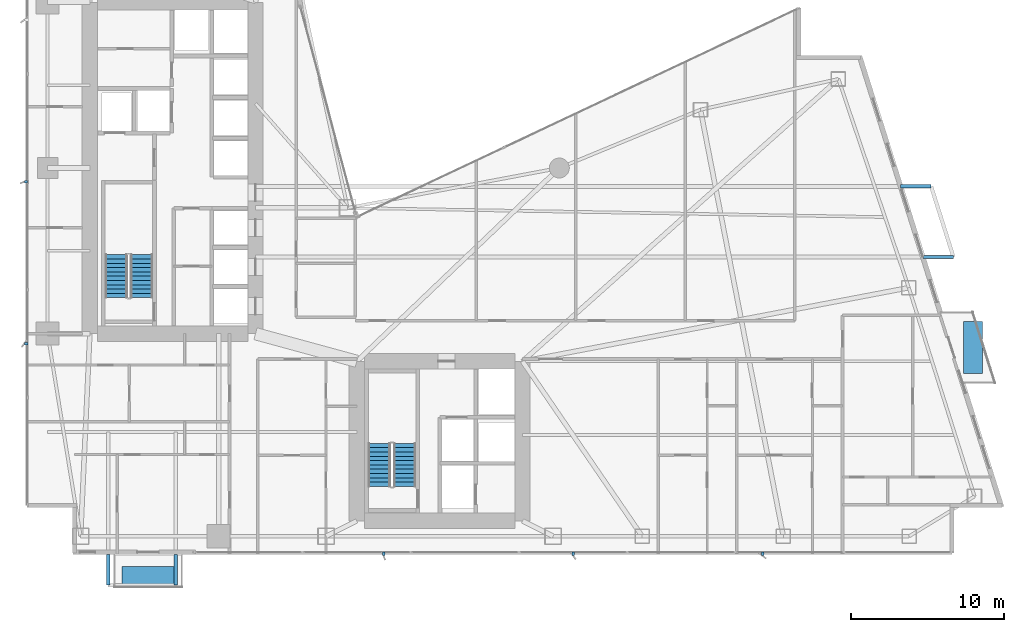
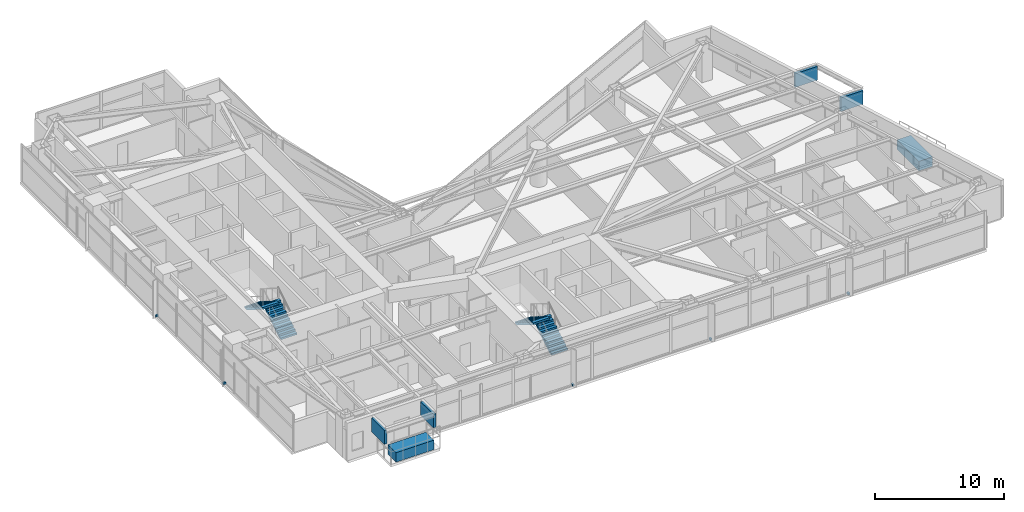
# One storey, part 26 of 29: 11 discrete accessories, 4 stair flights, 2 elements without a shape of their own.
"""IFC4 building model written with IfcOpenShell, lengths in metres."""

import ifcopenshell
import ifcopenshell.guid

model = None  # the IFC model being written
_history = None  # IfcOwnerHistory: only IFC2X3 demands one
_inside = {}  # id of a spatial element -> (the spatial element, [elements in it])
_under = {}  # id of a project, library or spatial element -> (it, [spatial elements below it])
_declared = {}  # id of a project -> (the project, [libraries it declares])
_typed = {}  # id of a type object -> (the type object, [elements of that type])
_made_of = {}  # id of a material, layer set ... -> (it, [elements and type objects made of it])


def new_model(schema):
    """Start an empty IFC model of exactly this schema.

    Asked for "IFC4X3", IfcOpenShell would pick the latest addendum, in which some entities
    have other attributes; the version numbers below select the first issue.
    IFC2X3 requires an IfcOwnerHistory on every rooted entity: one is made here for all.
    """
    global model, _history
    if schema == "IFC4X3":
        model = ifcopenshell.file(schema_version=(4, 3, 0, 0))
    else:
        model = ifcopenshell.file(schema=schema)
    _inside.clear()
    _under.clear()
    _declared.clear()
    _typed.clear()
    _made_of.clear()
    _history = None
    if model.schema == "IFC2X3":
        org = make("IfcOrganization", Name="unknown")
        user = make(
            "IfcPersonAndOrganization",
            ThePerson=make("IfcPerson", FamilyName="unknown"),
            TheOrganization=org,
        )
        app = make(
            "IfcApplication",
            ApplicationDeveloper=org,
            Version="unknown",
            ApplicationFullName="unknown",
            ApplicationIdentifier="unknown",
        )
        _history = make(
            "IfcOwnerHistory",
            OwningUser=user,
            OwningApplication=app,
            ChangeAction="ADDED",
            CreationDate=0,
        )
    return model


def make(cls, **values):
    """One entity of the class cls with the attributes given. An attribute that is None is left unset."""
    return model.create_entity(
        cls, **{name: value for name, value in values.items() if value is not None}
    )


def rooted(cls, **values):
    """An entity with a GlobalId (a new one), such as an element, a storey or a relation."""
    return make(cls, GlobalId=ifcopenshell.guid.new(), OwnerHistory=_history, **values)


def si_unit(unit_type, name, prefix=None):
    """IfcSIUnit, for example si_unit("LENGTHUNIT", "METRE", prefix="MILLI")."""
    return make("IfcSIUnit", UnitType=unit_type, Prefix=prefix, Name=name)


def assignment(units):
    """IfcUnitAssignment: the units of a project."""
    return None if units is None else make("IfcUnitAssignment", Units=units)


def point(xyz):
    """IfcCartesianPoint."""
    return None if xyz is None else make("IfcCartesianPoint", Coordinates=xyz)


def direction(xyz):
    """IfcDirection."""
    return None if xyz is None else make("IfcDirection", DirectionRatios=xyz)


def frame(location, z_axis=None, x_axis=None):
    """IfcAxis2Placement3D, a coordinate frame: its origin and axes. An axis left out is left unset."""
    return make(
        "IfcAxis2Placement3D",
        Location=point(location),
        Axis=direction(z_axis),
        RefDirection=direction(x_axis),
    )


def frame_2d(location, x_axis=None):
    """IfcAxis2Placement2D, a coordinate frame in the plane: its origin and x axis."""
    return make(
        "IfcAxis2Placement2D", Location=point(location), RefDirection=direction(x_axis)
    )


def origin():
    """The frame at (0, 0, 0) with its axes left unset."""
    return frame((0.0, 0.0, 0.0))


def origin_2d():
    """The frame at (0, 0) in the plane with its x axis left unset."""
    return frame_2d((0.0, 0.0))


def place(relative_to, where):
    """IfcLocalPlacement: puts the frame where relative to a parent placement (None: the world)."""
    return make(
        "IfcLocalPlacement", PlacementRelTo=relative_to, RelativePlacement=where
    )


def context(
    kind, dimensions, precision=None, world=None, true_north=None, identifier=None
):
    """IfcGeometricRepresentationContext, for example the 3D "Model" context."""
    return make(
        "IfcGeometricRepresentationContext",
        ContextIdentifier=identifier,
        ContextType=kind,
        CoordinateSpaceDimension=dimensions,
        Precision=precision,
        WorldCoordinateSystem=world,
        TrueNorth=true_north,
    )


def subcontext(parent, identifier, kind, view, scale=None):
    """IfcGeometricRepresentationSubContext, for example "Body" below "Model"."""
    return make(
        "IfcGeometricRepresentationSubContext",
        ContextIdentifier=identifier,
        ContextType=kind,
        ParentContext=parent,
        TargetScale=scale,
        TargetView=view,
    )


def project(units=None, contexts=None):
    """IfcProject with its units and contexts."""
    return rooted(
        "IfcProject",
        Name="project",
        RepresentationContexts=contexts,
        UnitsInContext=assignment(units),
    )


def spatial(cls, under=None, at=None, **own):
    """A site, building, storey or space (cls), placed at a placement, below another one or the project."""
    s = rooted(cls, ObjectPlacement=at, **own)
    if under is not None:
        _under.setdefault(under.id(), (under, []))[1].append(s)
    return s


def polyline(points):
    """IfcPolyline through the points."""
    return make("IfcPolyline", Points=[point(p) for p in points])


def profile(cls, at=None, kind="AREA", **sizes):
    """A parametric profile (cls). Its sizes go by their IFC names, for example OverallWidth=200.0."""
    return make(cls, ProfileType=kind, Position=at, **sizes)


def rectangle(**sizes):
    """IfcRectangleProfileDef."""
    return profile("IfcRectangleProfileDef", **sizes)


def outline(outer, holes=None, kind="AREA"):
    """IfcArbitraryClosedProfileDef: a profile drawn as a closed curve; with holes, ...WithVoids."""
    if holes is None:
        return make("IfcArbitraryClosedProfileDef", ProfileType=kind, OuterCurve=outer)
    return make(
        "IfcArbitraryProfileDefWithVoids",
        ProfileType=kind,
        OuterCurve=outer,
        InnerCurves=holes,
    )


def extrude(swept, where, along, depth):
    """IfcExtrudedAreaSolid: the profile swept, set in the frame where, extruded along a direction by depth."""
    return make(
        "IfcExtrudedAreaSolid",
        SweptArea=swept,
        Position=where,
        ExtrudedDirection=direction(along),
        Depth=depth,
    )


def shape(context_of_items, identifier, shape_type, items):
    """IfcShapeRepresentation: the items that make up one representation, for example the "Body"."""
    return make(
        "IfcShapeRepresentation",
        ContextOfItems=context_of_items,
        RepresentationIdentifier=identifier,
        RepresentationType=shape_type,
        Items=items,
    )


def material(Name=None, Category=None):
    """IfcMaterial."""
    return make("IfcMaterial", Name=Name, Category=Category)


def made_of(thing, what):
    """Note that an element or type object is made of a material, layer set ...; save() writes the relation."""
    if what is not None:
        _made_of.setdefault(what.id(), (what, []))[1].append(thing)
    return thing


def type_object(cls, material=None, **own):
    """A type object (cls), such as IfcWallType, which elements share."""
    return made_of(rooted(cls, **own), material)


def element(
    cls,
    number,
    at=None,
    inside=None,
    cuts=None,
    type_object=None,
    material=None,
    context=None,
    identifier="Body",
    shape_type=None,
    held_by="IfcProductDefinitionShape",
    body=None,
    shapes=None,
    **own,
):
    """One element of the class cls, such as IfcWall. Its Tag is "e" and its number.

    at: its placement. inside: the storey or other place that contains it. cuts: it is an
    opening in that element (IfcRelVoidsElement). A single representation is given by context,
    identifier, shape_type and body (its items); several are given by shapes. held_by: the class
    of the entity that holds the representations. save() writes the other relations.
    """
    e = rooted(cls, Tag="e%d" % number, ObjectPlacement=at, **own)
    if body is not None:
        shapes = [shape(context, identifier, shape_type, body)]
    if shapes is not None:
        e.Representation = make(held_by, Representations=shapes)
    if inside is not None:
        _inside.setdefault(inside.id(), (inside, []))[1].append(e)
    if cuts is not None:
        rooted(
            "IfcRelVoidsElement", RelatingBuildingElement=cuts, RelatedOpeningElement=e
        )
    if type_object is not None:
        _typed.setdefault(type_object.id(), (type_object, []))[1].append(e)
    return made_of(e, material)


def aggregate(whole, parts):
    """IfcRelAggregates: a whole, such as a stair, and the parts it consists of."""
    return rooted("IfcRelAggregates", RelatingObject=whole, RelatedObjects=parts)


def save(model, path):
    """Write the relations noted so far, then the file.

    IfcRelAggregates (storeys below a building ...), IfcRelContainedInSpatialStructure (elements
    in a storey), IfcRelDefinesByType, IfcRelAssociatesMaterial and IfcRelDeclares: one each for
    every whole, place, type object, material and project.
    """
    for whole, parts in _under.values():
        aggregate(whole, parts)
    for where, things in _inside.values():
        rooted(
            "IfcRelContainedInSpatialStructure",
            RelatedElements=things,
            RelatingStructure=where,
        )
    for kind, things in _typed.values():
        rooted("IfcRelDefinesByType", RelatedObjects=things, RelatingType=kind)
    for what, things in _made_of.values():
        rooted("IfcRelAssociatesMaterial", RelatedObjects=things, RelatingMaterial=what)
    for by, libraries in _declared.values():
        rooted("IfcRelDeclares", RelatingContext=by, RelatedDefinitions=libraries)
    model.write(path)


model = new_model("IFC4")

# Units and contexts
model_context = context("Model", 3, precision=1e-05, world=origin(), true_north=direction((0.0, 1.0)))
body_context = subcontext(model_context, "Body", "Model", "MODEL_VIEW")
ifc_project = project(units=[si_unit("LENGTHUNIT", "METRE"), si_unit("AREAUNIT", "SQUARE_METRE"), si_unit("VOLUMEUNIT", "CUBIC_METRE"), si_unit("PLANEANGLEUNIT", "RADIAN"), si_unit("MASSUNIT", "GRAM", prefix="KILO")], contexts=[model_context])

# Site, building, storey
site_placement = place(None, origin())
site = spatial("IfcSite", under=ifc_project, at=site_placement, CompositionType="ELEMENT")
building_placement = place(site_placement, origin())
building = spatial("IfcBuilding", under=site, at=building_placement, Name="Calvorn Quay Hotel", CompositionType="ELEMENT")
storey_placement = place(building_placement, frame((0.0, 0.0, 85.0)))
storey = spatial("IfcBuildingStorey", under=building, at=storey_placement, Name="L20", CompositionType="ELEMENT", Elevation=85.0)

# Stair, stair flights
ifc_material_1 = material(Name="Concrete C40", Category="concrete")
stair_type = type_object("IfcStairType", Name="STR-CORE-DOGLEG", PredefinedType="HALF_TURN_STAIR", material=ifc_material_1)
stair_1_placement = place(storey_placement, origin())
stair_1 = element("IfcStair", 1, at=stair_1_placement, inside=storey, type_object=stair_type, Name="L20 ST-W", PredefinedType="HALF_TURN_STAIR")
ifc_material_2 = material(Name="Concrete C40", Category="concrete")
stair_flight_type = type_object("IfcStairFlightType", Name="FLT-CORE-1550", PredefinedType="STRAIGHT", material=ifc_material_2)
stair_flight_1_placement = place(storey_placement, frame((7.574951171875, 19.14990234375, 0.0), z_axis=(0.0, 0.0, 1.0), x_axis=(0.0, 1.0, 0.0)))
stair_flight_1 = element("IfcStairFlight", 2, at=stair_flight_1_placement, type_object=stair_flight_type, Name="ST-W flight 1", NumberOfRisers=11, NumberOfTreads=10, PredefinedType="STRAIGHT", RiserHeight=0.172727273, TreadLength=0.28, context=body_context, shape_type="SweptSolid", body=[
    extrude(outline(polyline([(0.0, 0.0), (0.0, 0.172607421875), (0.280029296875, 0.172607421875), (0.280029296875, 0.345458984375), (0.56005859375, 0.345458984375), (0.56005859375, 0.51806640625), (0.840087890625, 0.51806640625), (0.840087890625, 0.69091796875), (1.1201171875, 0.69091796875), (1.1201171875, 0.863525390625), (1.39990234375, 0.863525390625), (1.39990234375, 1.036376953125), (1.679931640625, 1.036376953125), (1.679931640625, 1.208984375), (1.9599609375, 1.208984375), (1.9599609375, 1.3818359375), (2.239990234375, 1.3818359375), (2.239990234375, 1.554443359375), (2.52001953125, 1.554443359375), (2.52001953125, 1.727294921875), (2.800048828125, 1.727294921875), (2.800048828125, 1.89990234375), (2.800048828125, 1.551025390625), (0.285400390625, 0.0), (0.0, 0.0)])), frame((0.0, 0.72509765625, 0.0), z_axis=(0.0, -1.0, 0.0), x_axis=(1.0, 0.0, 0.0)), (0.0, 0.0, 1.0), 1.449951171875),
])
stair_flight_2_placement = place(storey_placement, frame((5.925048828125, 21.949951171875, 1.89990234375), z_axis=(0.0, 0.0, 1.0), x_axis=(0.0, -1.0, 0.0)))
stair_flight_2 = element("IfcStairFlight", 3, at=stair_flight_2_placement, type_object=stair_flight_type, Name="ST-W flight 2", NumberOfRisers=11, NumberOfTreads=10, PredefinedType="STRAIGHT", RiserHeight=0.172727273, TreadLength=0.28, context=body_context, shape_type="SweptSolid", body=[
    extrude(outline(polyline([(0.0, 0.0), (0.0, 0.172607421875), (0.280029296875, 0.172607421875), (0.280029296875, 0.345458984375), (0.56005859375, 0.345458984375), (0.56005859375, 0.51806640625), (0.840087890625, 0.51806640625), (0.840087890625, 0.69091796875), (1.1201171875, 0.69091796875), (1.1201171875, 0.863525390625), (1.39990234375, 0.863525390625), (1.39990234375, 1.036376953125), (1.679931640625, 1.036376953125), (1.679931640625, 1.208984375), (1.9599609375, 1.208984375), (1.9599609375, 1.3818359375), (2.239990234375, 1.3818359375), (2.239990234375, 1.554443359375), (2.52001953125, 1.554443359375), (2.52001953125, 1.727294921875), (2.800048828125, 1.727294921875), (2.800048828125, 1.89990234375), (2.800048828125, 1.551025390625), (0.285400390625, 0.0), (0.0, 0.0)])), frame((0.0, 0.72509765625, 0.0), z_axis=(0.0, -1.0, 0.0), x_axis=(1.0, 0.0, 0.0)), (0.0, 0.0, 1.0), 1.449951171875),
])
aggregate(stair_1, [stair_flight_1, stair_flight_2])

stair_2_placement = place(storey_placement, origin())
stair_2 = element("IfcStair", 4, at=stair_2_placement, inside=storey, type_object=stair_type, Name="L20 ST-E", PredefinedType="HALF_TURN_STAIR")
stair_flight_3_placement = place(storey_placement, frame((24.72509765625, 6.85009765625, 0.0), z_axis=(0.0, 0.0, 1.0), x_axis=(0.0, 1.0, 0.0)))
stair_flight_3 = element("IfcStairFlight", 5, at=stair_flight_3_placement, type_object=stair_flight_type, Name="ST-E flight 1", NumberOfRisers=11, NumberOfTreads=10, PredefinedType="STRAIGHT", RiserHeight=0.172727273, TreadLength=0.28, context=body_context, shape_type="SweptSolid", body=[
    extrude(outline(polyline([(0.0, 0.0), (0.0, 0.172607421875), (0.280029296875, 0.172607421875), (0.280029296875, 0.345458984375), (0.56005859375, 0.345458984375), (0.56005859375, 0.51806640625), (0.840087890625, 0.51806640625), (0.840087890625, 0.69091796875), (1.1201171875, 0.69091796875), (1.1201171875, 0.863525390625), (1.39990234375, 0.863525390625), (1.39990234375, 1.036376953125), (1.679931640625, 1.036376953125), (1.679931640625, 1.208984375), (1.9599609375, 1.208984375), (1.9599609375, 1.3818359375), (2.239990234375, 1.3818359375), (2.239990234375, 1.554443359375), (2.52001953125, 1.554443359375), (2.52001953125, 1.727294921875), (2.800048828125, 1.727294921875), (2.800048828125, 1.89990234375), (2.800048828125, 1.551025390625), (0.285400390625, 0.0), (0.0, 0.0)])), frame((0.0, 0.72509765625, 0.0), z_axis=(0.0, -1.0, 0.0), x_axis=(1.0, 0.0, 0.0)), (0.0, 0.0, 1.0), 1.449951171875),
])
stair_flight_4_placement = place(storey_placement, frame((23.074951171875, 9.64990234375, 1.89990234375), z_axis=(0.0, 0.0, 1.0), x_axis=(0.0, -1.0, 0.0)))
stair_flight_4 = element("IfcStairFlight", 6, at=stair_flight_4_placement, type_object=stair_flight_type, Name="ST-E flight 2", NumberOfRisers=11, NumberOfTreads=10, PredefinedType="STRAIGHT", RiserHeight=0.172727273, TreadLength=0.28, context=body_context, shape_type="SweptSolid", body=[
    extrude(outline(polyline([(0.0, 0.0), (0.0, 0.172607421875), (0.280029296875, 0.172607421875), (0.280029296875, 0.345458984375), (0.56005859375, 0.345458984375), (0.56005859375, 0.51806640625), (0.840087890625, 0.51806640625), (0.840087890625, 0.69091796875), (1.1201171875, 0.69091796875), (1.1201171875, 0.863525390625), (1.39990234375, 0.863525390625), (1.39990234375, 1.036376953125), (1.679931640625, 1.036376953125), (1.679931640625, 1.208984375), (1.9599609375, 1.208984375), (1.9599609375, 1.3818359375), (2.239990234375, 1.3818359375), (2.239990234375, 1.554443359375), (2.52001953125, 1.554443359375), (2.52001953125, 1.727294921875), (2.800048828125, 1.727294921875), (2.800048828125, 1.89990234375), (2.800048828125, 1.551025390625), (0.285400390625, 0.0), (0.0, 0.0)])), frame((0.0, 0.72509765625, 0.0), z_axis=(0.0, -1.0, 0.0), x_axis=(1.0, 0.0, 0.0)), (0.0, 0.0, 1.0), 1.449951171875),
])
aggregate(stair_2, [stair_flight_3, stair_flight_4])

# Discrete accessories
ifc_material_3 = material(Name="Steel Q355B", Category="steel")
discrete_accessory_type_1 = type_object("IfcDiscreteAccessoryType", Name="ACC-BALC-STRUT", PredefinedType="BRACKET", material=ifc_material_3)
for number, where, z_axis, x_axis, name in (
    (7, (59.490966796875, 21.800048828125, 2.01513671875), (0.0, 0.0, 1.0), (1.0, 0.0, 0.0), "Exterior Balcony Steel Bracket L21-BALC-E-A"),
    (8, (58.0419921875, 26.39990234375, 2.01513671875), (0.0, 0.0, 1.0), (1.0, 0.0, 0.0), "Exterior Balcony Steel Bracket L21-BALC-E-B"),
):
    element("IfcDiscreteAccessory", number, at=place(storey_placement, frame(where, z_axis=z_axis, x_axis=x_axis)), inside=storey, type_object=discrete_accessory_type_1, Name=name, PredefinedType="BRACKET", context=body_context, shape_type="SweptSolid", body=[
        extrude(rectangle(XDim=1.989990234375, YDim=0.219970703125, at=origin_2d()), origin(), (0.0, 0.0, 1.0), 1.300048828125),
    ])
for number, where, z_axis, x_axis, name in (
    (9, (5.39990234375, 1.405029296875, 2.01513671875), (0.0, 0.0, 1.0), (1.0, 0.0, 0.0), "Exterior Balcony Steel Bracket L21-BALC-S-A"),
    (10, (9.800048828125, 1.405029296875, 2.01513671875), (0.0, 0.0, 1.0), (1.0, 0.0, 0.0), "Exterior Balcony Steel Bracket L21-BALC-S-B"),
):
    element("IfcDiscreteAccessory", number, at=place(storey_placement, frame(where, z_axis=z_axis, x_axis=x_axis)), inside=storey, type_object=discrete_accessory_type_1, Name=name, PredefinedType="BRACKET", context=body_context, shape_type="SweptSolid", body=[
        extrude(rectangle(XDim=0.219970703125, YDim=1.989990234375, at=origin_2d()), origin(), (0.0, 0.0, 1.0), 1.300048828125),
    ])
ifc_material_4 = material(Name="Steel Q355B", Category="steel")
discrete_accessory_type_2 = type_object("IfcDiscreteAccessoryType", Name="ACC-FIN-BRACKET", PredefinedType="BRACKET", material=ifc_material_4)
for number, where, z_axis, x_axis, name in (
    (11, (0.06005859375, 16.14990234375, 0.0302734375), (0.0, 0.0, 1.0), (1.0, 0.0, 0.0), "Fin Anchor Bracket L20-W01"),
    (12, (0.06005859375, 26.699951171875, 0.0302734375), (0.0, 0.0, 1.0), (1.0, 0.0, 0.0), "Fin Anchor Bracket L20-W02"),
    (13, (23.35009765625, 2.4599609375, 0.0302734375), (0.0, 0.0, 1.0), (0.0, 1.0, 0.0), "Fin Anchor Bracket L20-S01"),
    (14, (35.699951171875, 2.4599609375, 0.0302734375), (0.0, 0.0, 1.0), (0.0, 1.0, 0.0), "Fin Anchor Bracket L20-S02"),
    (15, (48.050048828125, 2.4599609375, 0.0302734375), (0.0, 0.0, 1.0), (0.0, 1.0, 0.0), "Fin Anchor Bracket L20-S03"),
):
    element("IfcDiscreteAccessory", number, at=place(storey_placement, frame(where, z_axis=z_axis, x_axis=x_axis)), inside=storey, type_object=discrete_accessory_type_2, Name=name, PredefinedType="BRACKET", context=body_context, shape_type="SweptSolid", body=[
        extrude(rectangle(XDim=0.239990234375, YDim=0.159912109375, at=origin_2d()), origin(), (0.0, 0.0, 1.0), 0.179931640625),
    ])
ifc_material_5 = material(Name="Precast concrete C40", Category="concrete")
discrete_accessory_type_3 = type_object("IfcDiscreteAccessoryType", Name="ACC-TREE-PLANTER", PredefinedType="USERDEFINED", material=ifc_material_5)
discrete_accessory_1_placement = place(storey_placement, frame((61.763916015625, 15.89990234375, 0.0), z_axis=(0.0, 0.0, 1.0), x_axis=(1.0, 0.0, 0.0)))
element("IfcDiscreteAccessory", 16, at=discrete_accessory_1_placement, inside=storey, type_object=discrete_accessory_type_3, Name="Subtropical Tree Structural Planter L20-BALC-E", ObjectType="PLANTER", PredefinedType="USERDEFINED", context=body_context, shape_type="SweptSolid", body=[
    extrude(rectangle(XDim=1.25, YDim=3.39990234375, at=origin_2d()), origin(), (0.0, 0.0, 1.0), 0.89990234375),
])
discrete_accessory_2_placement = place(storey_placement, frame((8.0, 0.989990234375, 0.0), z_axis=(0.0, 0.0, 1.0), x_axis=(1.0, 0.0, 0.0)))
element("IfcDiscreteAccessory", 17, at=discrete_accessory_2_placement, inside=storey, type_object=discrete_accessory_type_3, Name="Subtropical Tree Structural Planter L20-BALC-S", ObjectType="PLANTER", PredefinedType="USERDEFINED", context=body_context, shape_type="SweptSolid", body=[
    extrude(rectangle(XDim=3.39990234375, YDim=1.25, at=origin_2d()), origin(), (0.0, 0.0, 1.0), 0.89990234375),
])

save(model, "model.ifc")
